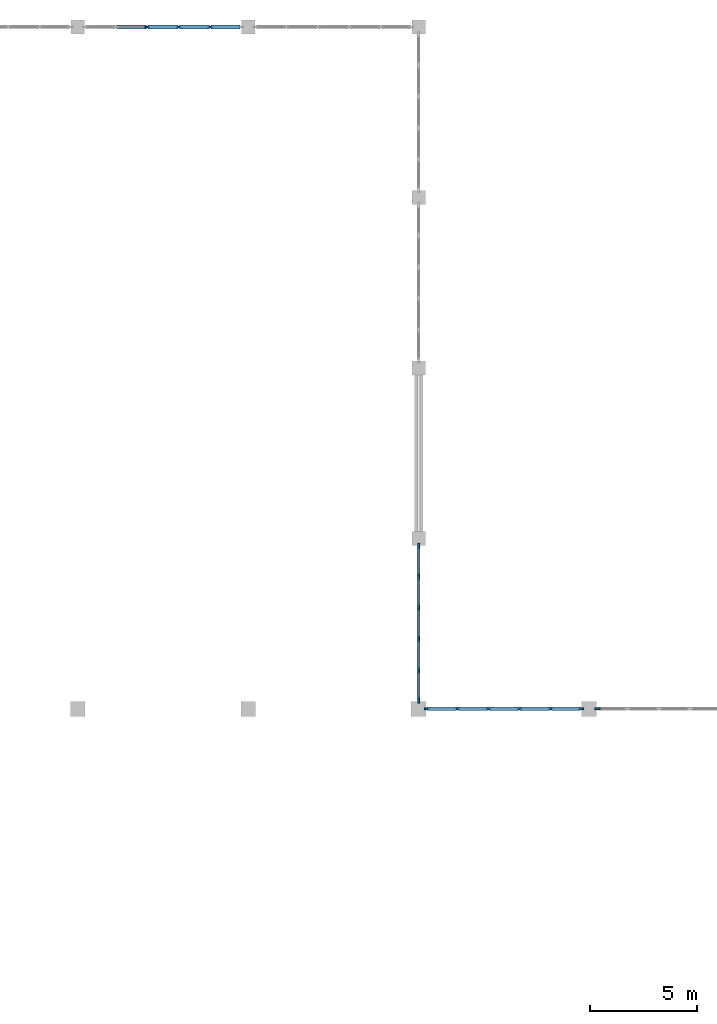
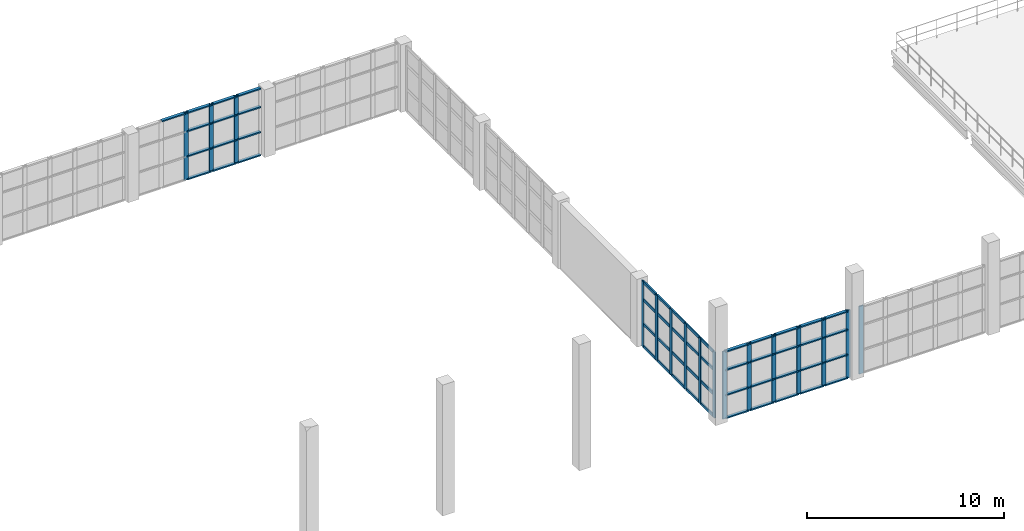
# One storey, part 19 of 66: 69 members, 4 elements without a shape of their own.
"""IFC4 building model written with IfcOpenShell, lengths in metres."""

import ifcopenshell
import ifcopenshell.guid

model = None  # the IFC model being written
_history = None  # IfcOwnerHistory: only IFC2X3 demands one
_inside = {}  # id of a spatial element -> (the spatial element, [elements in it])
_under = {}  # id of a project, library or spatial element -> (it, [spatial elements below it])
_declared = {}  # id of a project -> (the project, [libraries it declares])
_typed = {}  # id of a type object -> (the type object, [elements of that type])
_made_of = {}  # id of a material, layer set ... -> (it, [elements and type objects made of it])


def new_model(schema):
    """Start an empty IFC model of exactly this schema.

    Asked for "IFC4X3", IfcOpenShell would pick the latest addendum, in which some entities
    have other attributes; the version numbers below select the first issue.
    IFC2X3 requires an IfcOwnerHistory on every rooted entity: one is made here for all.
    """
    global model, _history
    if schema == "IFC4X3":
        model = ifcopenshell.file(schema_version=(4, 3, 0, 0))
    else:
        model = ifcopenshell.file(schema=schema)
    _inside.clear()
    _under.clear()
    _declared.clear()
    _typed.clear()
    _made_of.clear()
    _history = None
    if model.schema == "IFC2X3":
        org = make("IfcOrganization", Name="unknown")
        user = make(
            "IfcPersonAndOrganization",
            ThePerson=make("IfcPerson", FamilyName="unknown"),
            TheOrganization=org,
        )
        app = make(
            "IfcApplication",
            ApplicationDeveloper=org,
            Version="unknown",
            ApplicationFullName="unknown",
            ApplicationIdentifier="unknown",
        )
        _history = make(
            "IfcOwnerHistory",
            OwningUser=user,
            OwningApplication=app,
            ChangeAction="ADDED",
            CreationDate=0,
        )
    return model


def make(cls, **values):
    """One entity of the class cls with the attributes given. An attribute that is None is left unset."""
    return model.create_entity(
        cls, **{name: value for name, value in values.items() if value is not None}
    )


def rooted(cls, **values):
    """An entity with a GlobalId (a new one), such as an element, a storey or a relation."""
    return make(cls, GlobalId=ifcopenshell.guid.new(), OwnerHistory=_history, **values)


def si_unit(unit_type, name, prefix=None):
    """IfcSIUnit, for example si_unit("LENGTHUNIT", "METRE", prefix="MILLI")."""
    return make("IfcSIUnit", UnitType=unit_type, Prefix=prefix, Name=name)


def assignment(units):
    """IfcUnitAssignment: the units of a project."""
    return None if units is None else make("IfcUnitAssignment", Units=units)


def point(xyz):
    """IfcCartesianPoint."""
    return None if xyz is None else make("IfcCartesianPoint", Coordinates=xyz)


def direction(xyz):
    """IfcDirection."""
    return None if xyz is None else make("IfcDirection", DirectionRatios=xyz)


def frame(location, z_axis=None, x_axis=None):
    """IfcAxis2Placement3D, a coordinate frame: its origin and axes. An axis left out is left unset."""
    return make(
        "IfcAxis2Placement3D",
        Location=point(location),
        Axis=direction(z_axis),
        RefDirection=direction(x_axis),
    )


def frame_2d(location, x_axis=None):
    """IfcAxis2Placement2D, a coordinate frame in the plane: its origin and x axis."""
    return make(
        "IfcAxis2Placement2D", Location=point(location), RefDirection=direction(x_axis)
    )


def origin():
    """The frame at (0, 0, 0) with its axes left unset."""
    return frame((0.0, 0.0, 0.0))


def origin_2d():
    """The frame at (0, 0) in the plane with its x axis left unset."""
    return frame_2d((0.0, 0.0))


def place(relative_to, where):
    """IfcLocalPlacement: puts the frame where relative to a parent placement (None: the world)."""
    return make(
        "IfcLocalPlacement", PlacementRelTo=relative_to, RelativePlacement=where
    )


def context(
    kind, dimensions, precision=None, world=None, true_north=None, identifier=None
):
    """IfcGeometricRepresentationContext, for example the 3D "Model" context."""
    return make(
        "IfcGeometricRepresentationContext",
        ContextIdentifier=identifier,
        ContextType=kind,
        CoordinateSpaceDimension=dimensions,
        Precision=precision,
        WorldCoordinateSystem=world,
        TrueNorth=true_north,
    )


def subcontext(parent, identifier, kind, view, scale=None):
    """IfcGeometricRepresentationSubContext, for example "Body" below "Model"."""
    return make(
        "IfcGeometricRepresentationSubContext",
        ContextIdentifier=identifier,
        ContextType=kind,
        ParentContext=parent,
        TargetScale=scale,
        TargetView=view,
    )


def project(units=None, contexts=None):
    """IfcProject with its units and contexts."""
    return rooted(
        "IfcProject",
        Name="project",
        RepresentationContexts=contexts,
        UnitsInContext=assignment(units),
    )


def spatial(cls, under=None, at=None, **own):
    """A site, building, storey or space (cls), placed at a placement, below another one or the project."""
    s = rooted(cls, ObjectPlacement=at, **own)
    if under is not None:
        _under.setdefault(under.id(), (under, []))[1].append(s)
    return s


def profile(cls, at=None, kind="AREA", **sizes):
    """A parametric profile (cls). Its sizes go by their IFC names, for example OverallWidth=200.0."""
    return make(cls, ProfileType=kind, Position=at, **sizes)


def rectangle(**sizes):
    """IfcRectangleProfileDef."""
    return profile("IfcRectangleProfileDef", **sizes)


def extrude(swept, where, along, depth):
    """IfcExtrudedAreaSolid: the profile swept, set in the frame where, extruded along a direction by depth."""
    return make(
        "IfcExtrudedAreaSolid",
        SweptArea=swept,
        Position=where,
        ExtrudedDirection=direction(along),
        Depth=depth,
    )


def shape(context_of_items, identifier, shape_type, items):
    """IfcShapeRepresentation: the items that make up one representation, for example the "Body"."""
    return make(
        "IfcShapeRepresentation",
        ContextOfItems=context_of_items,
        RepresentationIdentifier=identifier,
        RepresentationType=shape_type,
        Items=items,
    )


def material(Name=None, Category=None):
    """IfcMaterial."""
    return make("IfcMaterial", Name=Name, Category=Category)


def layer(
    of_material, thickness, ventilated=None, Name=None, Category=None, Priority=None
):
    """IfcMaterialLayer: one layer of a wall or slab, of a material (None: an air gap)."""
    return make(
        "IfcMaterialLayer",
        Material=of_material,
        LayerThickness=thickness,
        IsVentilated=ventilated,
        Name=Name,
        Category=Category,
        Priority=Priority,
    )


def layer_set(layers, Name=None):
    """IfcMaterialLayerSet."""
    return make("IfcMaterialLayerSet", MaterialLayers=layers, LayerSetName=Name)


def material_profile(
    of_material, cross_section, Name=None, Category=None, Priority=None
):
    """IfcMaterialProfile: a cross section and its material."""
    return make(
        "IfcMaterialProfile",
        Name=Name,
        Material=of_material,
        Profile=cross_section,
        Priority=Priority,
        Category=Category,
    )


def profile_set(profiles, Name=None, composite=None):
    """IfcMaterialProfileSet."""
    return make(
        "IfcMaterialProfileSet",
        Name=Name,
        MaterialProfiles=profiles,
        CompositeProfile=composite,
    )


def made_of(thing, what):
    """Note that an element or type object is made of a material, layer set ...; save() writes the relation."""
    if what is not None:
        _made_of.setdefault(what.id(), (what, []))[1].append(thing)
    return thing


def type_object(cls, material=None, **own):
    """A type object (cls), such as IfcWallType, which elements share."""
    return made_of(rooted(cls, **own), material)


def element(
    cls,
    number,
    at=None,
    inside=None,
    cuts=None,
    type_object=None,
    material=None,
    context=None,
    identifier="Body",
    shape_type=None,
    held_by="IfcProductDefinitionShape",
    body=None,
    shapes=None,
    **own,
):
    """One element of the class cls, such as IfcWall. Its Tag is "e" and its number.

    at: its placement. inside: the storey or other place that contains it. cuts: it is an
    opening in that element (IfcRelVoidsElement). A single representation is given by context,
    identifier, shape_type and body (its items); several are given by shapes. held_by: the class
    of the entity that holds the representations. save() writes the other relations.
    """
    e = rooted(cls, Tag="e%d" % number, ObjectPlacement=at, **own)
    if body is not None:
        shapes = [shape(context, identifier, shape_type, body)]
    if shapes is not None:
        e.Representation = make(held_by, Representations=shapes)
    if inside is not None:
        _inside.setdefault(inside.id(), (inside, []))[1].append(e)
    if cuts is not None:
        rooted(
            "IfcRelVoidsElement", RelatingBuildingElement=cuts, RelatedOpeningElement=e
        )
    if type_object is not None:
        _typed.setdefault(type_object.id(), (type_object, []))[1].append(e)
    return made_of(e, material)


def aggregate(whole, parts):
    """IfcRelAggregates: a whole, such as a stair, and the parts it consists of."""
    return rooted("IfcRelAggregates", RelatingObject=whole, RelatedObjects=parts)


def save(model, path):
    """Write the relations noted so far, then the file.

    IfcRelAggregates (storeys below a building ...), IfcRelContainedInSpatialStructure (elements
    in a storey), IfcRelDefinesByType, IfcRelAssociatesMaterial and IfcRelDeclares: one each for
    every whole, place, type object, material and project.
    """
    for whole, parts in _under.values():
        aggregate(whole, parts)
    for where, things in _inside.values():
        rooted(
            "IfcRelContainedInSpatialStructure",
            RelatedElements=things,
            RelatingStructure=where,
        )
    for kind, things in _typed.values():
        rooted("IfcRelDefinesByType", RelatedObjects=things, RelatingType=kind)
    for what, things in _made_of.values():
        rooted("IfcRelAssociatesMaterial", RelatedObjects=things, RelatingMaterial=what)
    for by, libraries in _declared.values():
        rooted("IfcRelDeclares", RelatingContext=by, RelatedDefinitions=libraries)
    model.write(path)


model = new_model("IFC4")

# Units and contexts
model_context = context("Model", 3, precision=1e-05, world=origin(), true_north=direction((0.0, 1.0)))
body_context = subcontext(model_context, "Body", "Model", "MODEL_VIEW")
ifc_project = project(units=[si_unit("LENGTHUNIT", "METRE"), si_unit("AREAUNIT", "SQUARE_METRE"), si_unit("VOLUMEUNIT", "CUBIC_METRE"), si_unit("PLANEANGLEUNIT", "RADIAN"), si_unit("MASSUNIT", "GRAM", prefix="KILO")], contexts=[model_context])

# Site, building, storey
site_placement = place(None, origin())
site = spatial("IfcSite", under=ifc_project, at=site_placement, CompositionType="ELEMENT")
building_placement = place(site_placement, origin())
building = spatial("IfcBuilding", under=site, at=building_placement, Name="Drelvana Railside Aquatics Centre", CompositionType="ELEMENT")
storey_placement = place(building_placement, frame((0.0, 0.0, 10.199951171875)))
storey = spatial("IfcBuildingStorey", under=building, at=storey_placement, Name="L02", CompositionType="ELEMENT", Elevation=10.199951171875)

# Curtain wall, members
ifc_material_1 = material(Name="Bronze-anodised aluminium curtain wall", Category="aluminium")
ifc_layer = layer(ifc_material_1, 0.219970703125, Name="Bronze-anodised aluminium curtain wall")
ifc_layer_set = layer_set([ifc_layer], Name="Bronze-anodised aluminium curtain wall")
curtain_wall_type = type_object("IfcCurtainWallType", Name="CW-Z3-HIGH", PredefinedType="NOTDEFINED", material=ifc_layer_set)
curtain_wall_1_placement = place(storey_placement, origin())
curtain_wall_1 = element("IfcCurtainWall", 1, at=curtain_wall_1_placement, inside=storey, type_object=curtain_wall_type, Name="Curtain wall CW-03-022", PredefinedType="NOTDEFINED")
ifc_material_2 = material(Name="Bronze-anodised aluminium 6063-T6", Category="aluminium")
ifc_material_profile_1 = material_profile(ifc_material_2, rectangle(XDim=0.080078125, YDim=0.25, at=origin_2d()), Name="ALU-M 80x250")
ifc_profile_set_1 = profile_set([ifc_material_profile_1], Name="Bronze-anodised aluminium 6063-T6")
member_type_1 = type_object("IfcMemberType", Name="CW-Z3-HIGH-MUL", PredefinedType="MULLION", material=ifc_profile_set_1)
member_1_placement = place(storey_placement, frame((72.384033203125, 84.0, -0.005859375), z_axis=(0.0, 0.0, 1.0), x_axis=(0.0, 1.0, 0.0)))
member_1 = element("IfcMember", 2, at=member_1_placement, type_object=member_type_1, Name="CW-03 mullion 1", PredefinedType="MULLION", context=body_context, shape_type="SweptSolid", body=[
    extrude(rectangle(XDim=0.080078125, YDim=0.25, at=origin_2d()), origin(), (0.0, 0.0, 1.0), 4.19580078125),
])
member_2_placement = place(storey_placement, frame((73.806396484375, 84.0, -0.005859375), z_axis=(0.0, 0.0, 1.0), x_axis=(0.0, 1.0, 0.0)))
member_2 = element("IfcMember", 3, at=member_2_placement, type_object=member_type_1, Name="CW-03 mullion 2", PredefinedType="MULLION", context=body_context, shape_type="SweptSolid", body=[
    extrude(rectangle(XDim=0.080078125, YDim=0.25, at=origin_2d()), origin(), (0.0, 0.0, 1.0), 4.19580078125),
])
member_3_placement = place(storey_placement, frame((75.268798828125, 84.0, -0.005859375), z_axis=(0.0, 0.0, 1.0), x_axis=(0.0, 1.0, 0.0)))
member_3 = element("IfcMember", 4, at=member_3_placement, type_object=member_type_1, Name="CW-03 mullion 3", PredefinedType="MULLION", context=body_context, shape_type="SweptSolid", body=[
    extrude(rectangle(XDim=0.080078125, YDim=0.25, at=origin_2d()), origin(), (0.0, 0.0, 1.0), 4.19580078125),
])
member_4_placement = place(storey_placement, frame((76.731201171875, 84.0, -0.005859375), z_axis=(0.0, 0.0, 1.0), x_axis=(0.0, 1.0, 0.0)))
member_4 = element("IfcMember", 5, at=member_4_placement, type_object=member_type_1, Name="CW-03 mullion 4", PredefinedType="MULLION", context=body_context, shape_type="SweptSolid", body=[
    extrude(rectangle(XDim=0.080078125, YDim=0.25, at=origin_2d()), origin(), (0.0, 0.0, 1.0), 4.19580078125),
])
member_5_placement = place(storey_placement, frame((78.193603515625, 84.0, -0.005859375), z_axis=(0.0, 0.0, 1.0), x_axis=(0.0, 1.0, 0.0)))
member_5 = element("IfcMember", 6, at=member_5_placement, type_object=member_type_1, Name="CW-03 mullion 5", PredefinedType="MULLION", context=body_context, shape_type="SweptSolid", body=[
    extrude(rectangle(XDim=0.080078125, YDim=0.25, at=origin_2d()), origin(), (0.0, 0.0, 1.0), 4.19580078125),
])
member_6_placement = place(storey_placement, frame((79.615966796875, 84.0, -0.005859375), z_axis=(0.0, 0.0, 1.0), x_axis=(0.0, 1.0, 0.0)))
member_6 = element("IfcMember", 7, at=member_6_placement, type_object=member_type_1, Name="CW-03 mullion 6", PredefinedType="MULLION", context=body_context, shape_type="SweptSolid", body=[
    extrude(rectangle(XDim=0.080078125, YDim=0.25, at=origin_2d()), origin(), (0.0, 0.0, 1.0), 4.19580078125),
])

# Curtain wall, member
curtain_wall_2_placement = place(storey_placement, origin())
curtain_wall_2 = element("IfcCurtainWall", 8, at=curtain_wall_2_placement, inside=storey, type_object=curtain_wall_type, Name="Curtain wall CW-03-025", PredefinedType="NOTDEFINED")
member_7_placement = place(storey_placement, frame((80.384033203125, 84.0, -0.005859375), z_axis=(0.0, 0.0, 1.0), x_axis=(0.0, 1.0, 0.0)))
member_7 = element("IfcMember", 9, at=member_7_placement, type_object=member_type_1, Name="CW-03 mullion 1", PredefinedType="MULLION", context=body_context, shape_type="SweptSolid", body=[
    extrude(rectangle(XDim=0.080078125, YDim=0.25, at=origin_2d()), origin(), (0.0, 0.0, 1.0), 4.19580078125),
])
aggregate(curtain_wall_2, [member_7])

# Curtain wall, members
curtain_wall_3_placement = place(storey_placement, origin())
curtain_wall_3 = element("IfcCurtainWall", 10, at=curtain_wall_3_placement, inside=storey, type_object=curtain_wall_type, Name="Curtain wall CW-03-039", PredefinedType="NOTDEFINED")
member_8_placement = place(storey_placement, frame((59.263916015625, 116.0, -0.005859375), z_axis=(0.0, 0.0, 1.0), x_axis=(0.0, 1.0, 0.0)))
member_8 = element("IfcMember", 11, at=member_8_placement, type_object=member_type_1, Name="CW-03 mullion 3", PredefinedType="MULLION", context=body_context, shape_type="SweptSolid", body=[
    extrude(rectangle(XDim=0.080078125, YDim=0.25, at=origin_2d()), origin(), (0.0, 0.0, 1.0), 4.19580078125),
])
member_9_placement = place(storey_placement, frame((60.736083984375, 116.0, -0.005859375), z_axis=(0.0, 0.0, 1.0), x_axis=(0.0, 1.0, 0.0)))
member_9 = element("IfcMember", 12, at=member_9_placement, type_object=member_type_1, Name="CW-03 mullion 4", PredefinedType="MULLION", context=body_context, shape_type="SweptSolid", body=[
    extrude(rectangle(XDim=0.080078125, YDim=0.25, at=origin_2d()), origin(), (0.0, 0.0, 1.0), 4.19580078125),
])
member_10_placement = place(storey_placement, frame((62.20849609375, 116.0, -0.005859375), z_axis=(0.0, 0.0, 1.0), x_axis=(0.0, 1.0, 0.0)))
member_10 = element("IfcMember", 13, at=member_10_placement, type_object=member_type_1, Name="CW-03 mullion 5", PredefinedType="MULLION", context=body_context, shape_type="SweptSolid", body=[
    extrude(rectangle(XDim=0.080078125, YDim=0.25, at=origin_2d()), origin(), (0.0, 0.0, 1.0), 4.19580078125),
])

curtain_wall_4_placement = place(storey_placement, origin())
curtain_wall_4 = element("IfcCurtainWall", 14, at=curtain_wall_4_placement, inside=storey, type_object=curtain_wall_type, Name="Curtain wall CW-03-092", PredefinedType="NOTDEFINED")
member_11_placement = place(storey_placement, frame((72.0, 84.384033203125, -0.005859375), z_axis=(0.0, 0.0, 1.0), x_axis=(-1.0, 0.0, 0.0)))
member_11 = element("IfcMember", 15, at=member_11_placement, type_object=member_type_1, Name="CW-03 mullion 1", PredefinedType="MULLION", context=body_context, shape_type="SweptSolid", body=[
    extrude(rectangle(XDim=0.080078125, YDim=0.25, at=origin_2d()), origin(), (0.0, 0.0, 1.0), 4.055908203125),
])
member_12_placement = place(storey_placement, frame((72.0, 85.811279296875, -0.005859375), z_axis=(0.0, 0.0, 1.0), x_axis=(-1.0, 0.0, 0.0)))
member_12 = element("IfcMember", 16, at=member_12_placement, type_object=member_type_1, Name="CW-03 mullion 2", PredefinedType="MULLION", context=body_context, shape_type="SweptSolid", body=[
    extrude(rectangle(XDim=0.080078125, YDim=0.25, at=origin_2d()), origin(), (0.0, 0.0, 1.0), 4.055908203125),
])
member_13_placement = place(storey_placement, frame((72.0, 87.27880859375, -0.005859375), z_axis=(0.0, 0.0, 1.0), x_axis=(-1.0, 0.0, 0.0)))
member_13 = element("IfcMember", 17, at=member_13_placement, type_object=member_type_1, Name="CW-03 mullion 3", PredefinedType="MULLION", context=body_context, shape_type="SweptSolid", body=[
    extrude(rectangle(XDim=0.080078125, YDim=0.25, at=origin_2d()), origin(), (0.0, 0.0, 1.0), 4.055908203125),
])
member_14_placement = place(storey_placement, frame((72.0, 88.74609375, -0.005859375), z_axis=(0.0, 0.0, 1.0), x_axis=(-1.0, 0.0, 0.0)))
member_14 = element("IfcMember", 18, at=member_14_placement, type_object=member_type_1, Name="CW-03 mullion 4", PredefinedType="MULLION", context=body_context, shape_type="SweptSolid", body=[
    extrude(rectangle(XDim=0.080078125, YDim=0.25, at=origin_2d()), origin(), (0.0, 0.0, 1.0), 4.055908203125),
])
member_15_placement = place(storey_placement, frame((72.0, 90.213623046875, -0.005859375), z_axis=(0.0, 0.0, 1.0), x_axis=(-1.0, 0.0, 0.0)))
member_15 = element("IfcMember", 19, at=member_15_placement, type_object=member_type_1, Name="CW-03 mullion 5", PredefinedType="MULLION", context=body_context, shape_type="SweptSolid", body=[
    extrude(rectangle(XDim=0.080078125, YDim=0.25, at=origin_2d()), origin(), (0.0, 0.0, 1.0), 4.055908203125),
])
member_16_placement = place(storey_placement, frame((72.0, 91.64111328125, -0.005859375), z_axis=(0.0, 0.0, 1.0), x_axis=(-1.0, 0.0, 0.0)))
member_16 = element("IfcMember", 20, at=member_16_placement, type_object=member_type_1, Name="CW-03 mullion 6", PredefinedType="MULLION", context=body_context, shape_type="SweptSolid", body=[
    extrude(rectangle(XDim=0.080078125, YDim=0.25, at=origin_2d()), origin(), (0.0, 0.0, 1.0), 4.055908203125),
])

# Member
ifc_material_profile_2 = material_profile(ifc_material_2, rectangle(XDim=0.179931640625, YDim=0.074951171875, at=origin_2d()), Name="ALU-T 75x180")
ifc_profile_set_2 = profile_set([ifc_material_profile_2], Name="Bronze-anodised aluminium 6063-T6")
member_type_2 = type_object("IfcMemberType", Name="CW-Z3-HIGH-TRN", PredefinedType="USERDEFINED", material=ifc_profile_set_2)
member_17_placement = place(storey_placement, frame((72.4189453125, 84.0, 0.031494140625), z_axis=(1.0, 0.0, 0.0), x_axis=(0.0, 1.0, 0.0)))
member_17 = element("IfcMember", 21, at=member_17_placement, type_object=member_type_2, Name="CW-03 transom 1.1", ObjectType="TRANSOM", PredefinedType="USERDEFINED", context=body_context, shape_type="SweptSolid", body=[
    extrude(rectangle(XDim=0.179931640625, YDim=0.074951171875, at=origin_2d()), origin(), (0.0, 0.0, 1.0), 1.3525390625),
])

member_18_placement = place(storey_placement, frame((72.4189453125, 84.0, 1.463134765625), z_axis=(1.0, 0.0, 0.0), x_axis=(0.0, 1.0, 0.0)))
member_18 = element("IfcMember", 22, at=member_18_placement, type_object=member_type_2, Name="CW-03 transom 1.2", ObjectType="TRANSOM", PredefinedType="USERDEFINED", context=body_context, shape_type="SweptSolid", body=[
    extrude(rectangle(XDim=0.179931640625, YDim=0.074951171875, at=origin_2d()), origin(), (0.0, 0.0, 1.0), 1.3525390625),
])

member_19_placement = place(storey_placement, frame((72.4189453125, 84.0, 3.01513671875), z_axis=(1.0, 0.0, 0.0), x_axis=(0.0, 1.0, 0.0)))
member_19 = element("IfcMember", 23, at=member_19_placement, type_object=member_type_2, Name="CW-03 transom 1.3", ObjectType="TRANSOM", PredefinedType="USERDEFINED", context=body_context, shape_type="SweptSolid", body=[
    extrude(rectangle(XDim=0.179931640625, YDim=0.074951171875, at=origin_2d()), origin(), (0.0, 0.0, 1.0), 1.3525390625),
])

member_20_placement = place(storey_placement, frame((72.4189453125, 84.0, 4.152587890625), z_axis=(1.0, 0.0, 0.0), x_axis=(0.0, 1.0, 0.0)))
member_20 = element("IfcMember", 24, at=member_20_placement, type_object=member_type_2, Name="CW-03 transom 1.4", ObjectType="TRANSOM", PredefinedType="USERDEFINED", context=body_context, shape_type="SweptSolid", body=[
    extrude(rectangle(XDim=0.179931640625, YDim=0.074951171875, at=origin_2d()), origin(), (0.0, 0.0, 1.0), 1.3525390625),
])

member_21_placement = place(storey_placement, frame((73.84130859375, 84.0, 0.031494140625), z_axis=(1.0, 0.0, 0.0), x_axis=(0.0, 1.0, 0.0)))
member_21 = element("IfcMember", 25, at=member_21_placement, type_object=member_type_2, Name="CW-03 transom 2.1", ObjectType="TRANSOM", PredefinedType="USERDEFINED", context=body_context, shape_type="SweptSolid", body=[
    extrude(rectangle(XDim=0.179931640625, YDim=0.074951171875, at=origin_2d()), origin(), (0.0, 0.0, 1.0), 1.392578125),
])

member_22_placement = place(storey_placement, frame((73.84130859375, 84.0, 1.463134765625), z_axis=(1.0, 0.0, 0.0), x_axis=(0.0, 1.0, 0.0)))
member_22 = element("IfcMember", 26, at=member_22_placement, type_object=member_type_2, Name="CW-03 transom 2.2", ObjectType="TRANSOM", PredefinedType="USERDEFINED", context=body_context, shape_type="SweptSolid", body=[
    extrude(rectangle(XDim=0.179931640625, YDim=0.074951171875, at=origin_2d()), origin(), (0.0, 0.0, 1.0), 1.392578125),
])

member_23_placement = place(storey_placement, frame((73.84130859375, 84.0, 3.01513671875), z_axis=(1.0, 0.0, 0.0), x_axis=(0.0, 1.0, 0.0)))
member_23 = element("IfcMember", 27, at=member_23_placement, type_object=member_type_2, Name="CW-03 transom 2.3", ObjectType="TRANSOM", PredefinedType="USERDEFINED", context=body_context, shape_type="SweptSolid", body=[
    extrude(rectangle(XDim=0.179931640625, YDim=0.074951171875, at=origin_2d()), origin(), (0.0, 0.0, 1.0), 1.392578125),
])

member_24_placement = place(storey_placement, frame((73.84130859375, 84.0, 4.152587890625), z_axis=(1.0, 0.0, 0.0), x_axis=(0.0, 1.0, 0.0)))
member_24 = element("IfcMember", 28, at=member_24_placement, type_object=member_type_2, Name="CW-03 transom 2.4", ObjectType="TRANSOM", PredefinedType="USERDEFINED", context=body_context, shape_type="SweptSolid", body=[
    extrude(rectangle(XDim=0.179931640625, YDim=0.074951171875, at=origin_2d()), origin(), (0.0, 0.0, 1.0), 1.392578125),
])

member_25_placement = place(storey_placement, frame((75.3037109375, 84.0, 0.031494140625), z_axis=(1.0, 0.0, 0.0), x_axis=(0.0, 1.0, 0.0)))
member_25 = element("IfcMember", 29, at=member_25_placement, type_object=member_type_2, Name="CW-03 transom 3.1", ObjectType="TRANSOM", PredefinedType="USERDEFINED", context=body_context, shape_type="SweptSolid", body=[
    extrude(rectangle(XDim=0.179931640625, YDim=0.074951171875, at=origin_2d()), origin(), (0.0, 0.0, 1.0), 1.392578125),
])

member_26_placement = place(storey_placement, frame((75.3037109375, 84.0, 1.463134765625), z_axis=(1.0, 0.0, 0.0), x_axis=(0.0, 1.0, 0.0)))
member_26 = element("IfcMember", 30, at=member_26_placement, type_object=member_type_2, Name="CW-03 transom 3.2", ObjectType="TRANSOM", PredefinedType="USERDEFINED", context=body_context, shape_type="SweptSolid", body=[
    extrude(rectangle(XDim=0.179931640625, YDim=0.074951171875, at=origin_2d()), origin(), (0.0, 0.0, 1.0), 1.392578125),
])

member_27_placement = place(storey_placement, frame((75.3037109375, 84.0, 3.01513671875), z_axis=(1.0, 0.0, 0.0), x_axis=(0.0, 1.0, 0.0)))
member_27 = element("IfcMember", 31, at=member_27_placement, type_object=member_type_2, Name="CW-03 transom 3.3", ObjectType="TRANSOM", PredefinedType="USERDEFINED", context=body_context, shape_type="SweptSolid", body=[
    extrude(rectangle(XDim=0.179931640625, YDim=0.074951171875, at=origin_2d()), origin(), (0.0, 0.0, 1.0), 1.392578125),
])

member_28_placement = place(storey_placement, frame((75.3037109375, 84.0, 4.152587890625), z_axis=(1.0, 0.0, 0.0), x_axis=(0.0, 1.0, 0.0)))
member_28 = element("IfcMember", 32, at=member_28_placement, type_object=member_type_2, Name="CW-03 transom 3.4", ObjectType="TRANSOM", PredefinedType="USERDEFINED", context=body_context, shape_type="SweptSolid", body=[
    extrude(rectangle(XDim=0.179931640625, YDim=0.074951171875, at=origin_2d()), origin(), (0.0, 0.0, 1.0), 1.392578125),
])

member_29_placement = place(storey_placement, frame((76.76611328125, 84.0, 0.031494140625), z_axis=(1.0, 0.0, 0.0), x_axis=(0.0, 1.0, 0.0)))
member_29 = element("IfcMember", 33, at=member_29_placement, type_object=member_type_2, Name="CW-03 transom 4.1", ObjectType="TRANSOM", PredefinedType="USERDEFINED", context=body_context, shape_type="SweptSolid", body=[
    extrude(rectangle(XDim=0.179931640625, YDim=0.074951171875, at=origin_2d()), origin(), (0.0, 0.0, 1.0), 1.392578125),
])

member_30_placement = place(storey_placement, frame((76.76611328125, 84.0, 1.463134765625), z_axis=(1.0, 0.0, 0.0), x_axis=(0.0, 1.0, 0.0)))
member_30 = element("IfcMember", 34, at=member_30_placement, type_object=member_type_2, Name="CW-03 transom 4.2", ObjectType="TRANSOM", PredefinedType="USERDEFINED", context=body_context, shape_type="SweptSolid", body=[
    extrude(rectangle(XDim=0.179931640625, YDim=0.074951171875, at=origin_2d()), origin(), (0.0, 0.0, 1.0), 1.392578125),
])

member_31_placement = place(storey_placement, frame((76.76611328125, 84.0, 3.01513671875), z_axis=(1.0, 0.0, 0.0), x_axis=(0.0, 1.0, 0.0)))
member_31 = element("IfcMember", 35, at=member_31_placement, type_object=member_type_2, Name="CW-03 transom 4.3", ObjectType="TRANSOM", PredefinedType="USERDEFINED", context=body_context, shape_type="SweptSolid", body=[
    extrude(rectangle(XDim=0.179931640625, YDim=0.074951171875, at=origin_2d()), origin(), (0.0, 0.0, 1.0), 1.392578125),
])

member_32_placement = place(storey_placement, frame((76.76611328125, 84.0, 4.152587890625), z_axis=(1.0, 0.0, 0.0), x_axis=(0.0, 1.0, 0.0)))
member_32 = element("IfcMember", 36, at=member_32_placement, type_object=member_type_2, Name="CW-03 transom 4.4", ObjectType="TRANSOM", PredefinedType="USERDEFINED", context=body_context, shape_type="SweptSolid", body=[
    extrude(rectangle(XDim=0.179931640625, YDim=0.074951171875, at=origin_2d()), origin(), (0.0, 0.0, 1.0), 1.392578125),
])

member_33_placement = place(storey_placement, frame((78.228515625, 84.0, 0.031494140625), z_axis=(1.0, 0.0, 0.0), x_axis=(0.0, 1.0, 0.0)))
member_33 = element("IfcMember", 37, at=member_33_placement, type_object=member_type_2, Name="CW-03 transom 5.1", ObjectType="TRANSOM", PredefinedType="USERDEFINED", context=body_context, shape_type="SweptSolid", body=[
    extrude(rectangle(XDim=0.179931640625, YDim=0.074951171875, at=origin_2d()), origin(), (0.0, 0.0, 1.0), 1.3525390625),
])

member_34_placement = place(storey_placement, frame((78.228515625, 84.0, 1.463134765625), z_axis=(1.0, 0.0, 0.0), x_axis=(0.0, 1.0, 0.0)))
member_34 = element("IfcMember", 38, at=member_34_placement, type_object=member_type_2, Name="CW-03 transom 5.2", ObjectType="TRANSOM", PredefinedType="USERDEFINED", context=body_context, shape_type="SweptSolid", body=[
    extrude(rectangle(XDim=0.179931640625, YDim=0.074951171875, at=origin_2d()), origin(), (0.0, 0.0, 1.0), 1.3525390625),
])

member_35_placement = place(storey_placement, frame((78.228515625, 84.0, 3.01513671875), z_axis=(1.0, 0.0, 0.0), x_axis=(0.0, 1.0, 0.0)))
member_35 = element("IfcMember", 39, at=member_35_placement, type_object=member_type_2, Name="CW-03 transom 5.3", ObjectType="TRANSOM", PredefinedType="USERDEFINED", context=body_context, shape_type="SweptSolid", body=[
    extrude(rectangle(XDim=0.179931640625, YDim=0.074951171875, at=origin_2d()), origin(), (0.0, 0.0, 1.0), 1.3525390625),
])

member_36_placement = place(storey_placement, frame((78.228515625, 84.0, 4.152587890625), z_axis=(1.0, 0.0, 0.0), x_axis=(0.0, 1.0, 0.0)))
member_36 = element("IfcMember", 40, at=member_36_placement, type_object=member_type_2, Name="CW-03 transom 5.4", ObjectType="TRANSOM", PredefinedType="USERDEFINED", context=body_context, shape_type="SweptSolid", body=[
    extrude(rectangle(XDim=0.179931640625, YDim=0.074951171875, at=origin_2d()), origin(), (0.0, 0.0, 1.0), 1.3525390625),
])

aggregate(curtain_wall_1, [member_1, member_2, member_3, member_4, member_5, member_6, member_17, member_18, member_19, member_20, member_21, member_22, member_23, member_24, member_25, member_26, member_27, member_28, member_29, member_30, member_31, member_32, member_33, member_34, member_35, member_36])

member_37_placement = place(storey_placement, frame((57.826416015625, 116.0, 4.152587890625), z_axis=(1.0, 0.0, 0.0), x_axis=(0.0, 1.0, 0.0)))
member_37 = element("IfcMember", 41, at=member_37_placement, type_object=member_type_2, Name="CW-03 transom 2.4", ObjectType="TRANSOM", PredefinedType="USERDEFINED", context=body_context, shape_type="SweptSolid", body=[
    extrude(rectangle(XDim=0.179931640625, YDim=0.074951171875, at=origin_2d()), origin(), (0.0, 0.0, 1.0), 1.40234375),
])

member_38_placement = place(storey_placement, frame((59.298828125, 116.0, 0.031494140625), z_axis=(1.0, 0.0, 0.0), x_axis=(0.0, 1.0, 0.0)))
member_38 = element("IfcMember", 42, at=member_38_placement, type_object=member_type_2, Name="CW-03 transom 3.1", ObjectType="TRANSOM", PredefinedType="USERDEFINED", context=body_context, shape_type="SweptSolid", body=[
    extrude(rectangle(XDim=0.179931640625, YDim=0.074951171875, at=origin_2d()), origin(), (0.0, 0.0, 1.0), 1.40234375),
])

member_39_placement = place(storey_placement, frame((59.298828125, 116.0, 1.463134765625), z_axis=(1.0, 0.0, 0.0), x_axis=(0.0, 1.0, 0.0)))
member_39 = element("IfcMember", 43, at=member_39_placement, type_object=member_type_2, Name="CW-03 transom 3.2", ObjectType="TRANSOM", PredefinedType="USERDEFINED", context=body_context, shape_type="SweptSolid", body=[
    extrude(rectangle(XDim=0.179931640625, YDim=0.074951171875, at=origin_2d()), origin(), (0.0, 0.0, 1.0), 1.40234375),
])

member_40_placement = place(storey_placement, frame((59.298828125, 116.0, 3.01513671875), z_axis=(1.0, 0.0, 0.0), x_axis=(0.0, 1.0, 0.0)))
member_40 = element("IfcMember", 44, at=member_40_placement, type_object=member_type_2, Name="CW-03 transom 3.3", ObjectType="TRANSOM", PredefinedType="USERDEFINED", context=body_context, shape_type="SweptSolid", body=[
    extrude(rectangle(XDim=0.179931640625, YDim=0.074951171875, at=origin_2d()), origin(), (0.0, 0.0, 1.0), 1.40234375),
])

member_41_placement = place(storey_placement, frame((59.298828125, 116.0, 4.152587890625), z_axis=(1.0, 0.0, 0.0), x_axis=(0.0, 1.0, 0.0)))
member_41 = element("IfcMember", 45, at=member_41_placement, type_object=member_type_2, Name="CW-03 transom 3.4", ObjectType="TRANSOM", PredefinedType="USERDEFINED", context=body_context, shape_type="SweptSolid", body=[
    extrude(rectangle(XDim=0.179931640625, YDim=0.074951171875, at=origin_2d()), origin(), (0.0, 0.0, 1.0), 1.40234375),
])

member_42_placement = place(storey_placement, frame((60.771240234375, 116.0, 0.031494140625), z_axis=(1.0, 0.0, 0.0), x_axis=(0.0, 1.0, 0.0)))
member_42 = element("IfcMember", 46, at=member_42_placement, type_object=member_type_2, Name="CW-03 transom 4.1", ObjectType="TRANSOM", PredefinedType="USERDEFINED", context=body_context, shape_type="SweptSolid", body=[
    extrude(rectangle(XDim=0.179931640625, YDim=0.074951171875, at=origin_2d()), origin(), (0.0, 0.0, 1.0), 1.40234375),
])

member_43_placement = place(storey_placement, frame((60.771240234375, 116.0, 1.463134765625), z_axis=(1.0, 0.0, 0.0), x_axis=(0.0, 1.0, 0.0)))
member_43 = element("IfcMember", 47, at=member_43_placement, type_object=member_type_2, Name="CW-03 transom 4.2", ObjectType="TRANSOM", PredefinedType="USERDEFINED", context=body_context, shape_type="SweptSolid", body=[
    extrude(rectangle(XDim=0.179931640625, YDim=0.074951171875, at=origin_2d()), origin(), (0.0, 0.0, 1.0), 1.40234375),
])

member_44_placement = place(storey_placement, frame((60.771240234375, 116.0, 3.01513671875), z_axis=(1.0, 0.0, 0.0), x_axis=(0.0, 1.0, 0.0)))
member_44 = element("IfcMember", 48, at=member_44_placement, type_object=member_type_2, Name="CW-03 transom 4.3", ObjectType="TRANSOM", PredefinedType="USERDEFINED", context=body_context, shape_type="SweptSolid", body=[
    extrude(rectangle(XDim=0.179931640625, YDim=0.074951171875, at=origin_2d()), origin(), (0.0, 0.0, 1.0), 1.40234375),
])

member_45_placement = place(storey_placement, frame((60.771240234375, 116.0, 4.152587890625), z_axis=(1.0, 0.0, 0.0), x_axis=(0.0, 1.0, 0.0)))
member_45 = element("IfcMember", 49, at=member_45_placement, type_object=member_type_2, Name="CW-03 transom 4.4", ObjectType="TRANSOM", PredefinedType="USERDEFINED", context=body_context, shape_type="SweptSolid", body=[
    extrude(rectangle(XDim=0.179931640625, YDim=0.074951171875, at=origin_2d()), origin(), (0.0, 0.0, 1.0), 1.40234375),
])

member_46_placement = place(storey_placement, frame((62.24365234375, 116.0, 0.031494140625), z_axis=(1.0, 0.0, 0.0), x_axis=(0.0, 1.0, 0.0)))
member_46 = element("IfcMember", 50, at=member_46_placement, type_object=member_type_2, Name="CW-03 transom 5.1", ObjectType="TRANSOM", PredefinedType="USERDEFINED", context=body_context, shape_type="SweptSolid", body=[
    extrude(rectangle(XDim=0.179931640625, YDim=0.074951171875, at=origin_2d()), origin(), (0.0, 0.0, 1.0), 1.3623046875),
])

member_47_placement = place(storey_placement, frame((62.24365234375, 116.0, 1.463134765625), z_axis=(1.0, 0.0, 0.0), x_axis=(0.0, 1.0, 0.0)))
member_47 = element("IfcMember", 51, at=member_47_placement, type_object=member_type_2, Name="CW-03 transom 5.2", ObjectType="TRANSOM", PredefinedType="USERDEFINED", context=body_context, shape_type="SweptSolid", body=[
    extrude(rectangle(XDim=0.179931640625, YDim=0.074951171875, at=origin_2d()), origin(), (0.0, 0.0, 1.0), 1.3623046875),
])

member_48_placement = place(storey_placement, frame((62.24365234375, 116.0, 3.01513671875), z_axis=(1.0, 0.0, 0.0), x_axis=(0.0, 1.0, 0.0)))
member_48 = element("IfcMember", 52, at=member_48_placement, type_object=member_type_2, Name="CW-03 transom 5.3", ObjectType="TRANSOM", PredefinedType="USERDEFINED", context=body_context, shape_type="SweptSolid", body=[
    extrude(rectangle(XDim=0.179931640625, YDim=0.074951171875, at=origin_2d()), origin(), (0.0, 0.0, 1.0), 1.3623046875),
])

member_49_placement = place(storey_placement, frame((62.24365234375, 116.0, 4.152587890625), z_axis=(1.0, 0.0, 0.0), x_axis=(0.0, 1.0, 0.0)))
member_49 = element("IfcMember", 53, at=member_49_placement, type_object=member_type_2, Name="CW-03 transom 5.4", ObjectType="TRANSOM", PredefinedType="USERDEFINED", context=body_context, shape_type="SweptSolid", body=[
    extrude(rectangle(XDim=0.179931640625, YDim=0.074951171875, at=origin_2d()), origin(), (0.0, 0.0, 1.0), 1.3623046875),
])

aggregate(curtain_wall_3, [member_8, member_9, member_10, member_37, member_38, member_39, member_40, member_41, member_42, member_43, member_44, member_45, member_46, member_47, member_48, member_49])

member_50_placement = place(storey_placement, frame((72.0, 84.4189453125, 0.031494140625), z_axis=(0.0, 1.0, 0.0), x_axis=(0.0, 0.0, 1.0)))
member_50 = element("IfcMember", 54, at=member_50_placement, type_object=member_type_2, Name="CW-03 transom 1.1", ObjectType="TRANSOM", PredefinedType="USERDEFINED", context=body_context, shape_type="SweptSolid", body=[
    extrude(rectangle(XDim=0.179931640625, YDim=0.074951171875, at=origin_2d()), origin(), (0.0, 0.0, 1.0), 1.357421875),
])

member_51_placement = place(storey_placement, frame((72.0, 84.4189453125, 1.4140625), z_axis=(0.0, 1.0, 0.0), x_axis=(0.0, 0.0, 1.0)))
member_51 = element("IfcMember", 55, at=member_51_placement, type_object=member_type_2, Name="CW-03 transom 1.2", ObjectType="TRANSOM", PredefinedType="USERDEFINED", context=body_context, shape_type="SweptSolid", body=[
    extrude(rectangle(XDim=0.179931640625, YDim=0.074951171875, at=origin_2d()), origin(), (0.0, 0.0, 1.0), 1.357421875),
])

member_52_placement = place(storey_placement, frame((72.0, 84.4189453125, 2.9140625), z_axis=(0.0, 1.0, 0.0), x_axis=(0.0, 0.0, 1.0)))
member_52 = element("IfcMember", 56, at=member_52_placement, type_object=member_type_2, Name="CW-03 transom 1.3", ObjectType="TRANSOM", PredefinedType="USERDEFINED", context=body_context, shape_type="SweptSolid", body=[
    extrude(rectangle(XDim=0.179931640625, YDim=0.074951171875, at=origin_2d()), origin(), (0.0, 0.0, 1.0), 1.357421875),
])

member_53_placement = place(storey_placement, frame((72.0, 84.4189453125, 4.012451171875), z_axis=(0.0, 1.0, 0.0), x_axis=(0.0, 0.0, 1.0)))
member_53 = element("IfcMember", 57, at=member_53_placement, type_object=member_type_2, Name="CW-03 transom 1.4", ObjectType="TRANSOM", PredefinedType="USERDEFINED", context=body_context, shape_type="SweptSolid", body=[
    extrude(rectangle(XDim=0.179931640625, YDim=0.074951171875, at=origin_2d()), origin(), (0.0, 0.0, 1.0), 1.357421875),
])

member_54_placement = place(storey_placement, frame((72.0, 85.846435546875, 0.031494140625), z_axis=(0.0, 1.0, 0.0), x_axis=(0.0, 0.0, 1.0)))
member_54 = element("IfcMember", 58, at=member_54_placement, type_object=member_type_2, Name="CW-03 transom 2.1", ObjectType="TRANSOM", PredefinedType="USERDEFINED", context=body_context, shape_type="SweptSolid", body=[
    extrude(rectangle(XDim=0.179931640625, YDim=0.074951171875, at=origin_2d()), origin(), (0.0, 0.0, 1.0), 1.3974609375),
])

member_55_placement = place(storey_placement, frame((72.0, 85.846435546875, 1.4140625), z_axis=(0.0, 1.0, 0.0), x_axis=(0.0, 0.0, 1.0)))
member_55 = element("IfcMember", 59, at=member_55_placement, type_object=member_type_2, Name="CW-03 transom 2.2", ObjectType="TRANSOM", PredefinedType="USERDEFINED", context=body_context, shape_type="SweptSolid", body=[
    extrude(rectangle(XDim=0.179931640625, YDim=0.074951171875, at=origin_2d()), origin(), (0.0, 0.0, 1.0), 1.3974609375),
])

member_56_placement = place(storey_placement, frame((72.0, 85.846435546875, 2.9140625), z_axis=(0.0, 1.0, 0.0), x_axis=(0.0, 0.0, 1.0)))
member_56 = element("IfcMember", 60, at=member_56_placement, type_object=member_type_2, Name="CW-03 transom 2.3", ObjectType="TRANSOM", PredefinedType="USERDEFINED", context=body_context, shape_type="SweptSolid", body=[
    extrude(rectangle(XDim=0.179931640625, YDim=0.074951171875, at=origin_2d()), origin(), (0.0, 0.0, 1.0), 1.3974609375),
])

member_57_placement = place(storey_placement, frame((72.0, 85.846435546875, 4.012451171875), z_axis=(0.0, 1.0, 0.0), x_axis=(0.0, 0.0, 1.0)))
member_57 = element("IfcMember", 61, at=member_57_placement, type_object=member_type_2, Name="CW-03 transom 2.4", ObjectType="TRANSOM", PredefinedType="USERDEFINED", context=body_context, shape_type="SweptSolid", body=[
    extrude(rectangle(XDim=0.179931640625, YDim=0.074951171875, at=origin_2d()), origin(), (0.0, 0.0, 1.0), 1.3974609375),
])

member_58_placement = place(storey_placement, frame((72.0, 87.313720703125, 0.031494140625), z_axis=(0.0, 1.0, 0.0), x_axis=(0.0, 0.0, 1.0)))
member_58 = element("IfcMember", 62, at=member_58_placement, type_object=member_type_2, Name="CW-03 transom 3.1", ObjectType="TRANSOM", PredefinedType="USERDEFINED", context=body_context, shape_type="SweptSolid", body=[
    extrude(rectangle(XDim=0.179931640625, YDim=0.074951171875, at=origin_2d()), origin(), (0.0, 0.0, 1.0), 1.3974609375),
])

member_59_placement = place(storey_placement, frame((72.0, 87.313720703125, 1.4140625), z_axis=(0.0, 1.0, 0.0), x_axis=(0.0, 0.0, 1.0)))
member_59 = element("IfcMember", 63, at=member_59_placement, type_object=member_type_2, Name="CW-03 transom 3.2", ObjectType="TRANSOM", PredefinedType="USERDEFINED", context=body_context, shape_type="SweptSolid", body=[
    extrude(rectangle(XDim=0.179931640625, YDim=0.074951171875, at=origin_2d()), origin(), (0.0, 0.0, 1.0), 1.3974609375),
])

member_60_placement = place(storey_placement, frame((72.0, 87.313720703125, 2.9140625), z_axis=(0.0, 1.0, 0.0), x_axis=(0.0, 0.0, 1.0)))
member_60 = element("IfcMember", 64, at=member_60_placement, type_object=member_type_2, Name="CW-03 transom 3.3", ObjectType="TRANSOM", PredefinedType="USERDEFINED", context=body_context, shape_type="SweptSolid", body=[
    extrude(rectangle(XDim=0.179931640625, YDim=0.074951171875, at=origin_2d()), origin(), (0.0, 0.0, 1.0), 1.3974609375),
])

member_61_placement = place(storey_placement, frame((72.0, 87.313720703125, 4.012451171875), z_axis=(0.0, 1.0, 0.0), x_axis=(0.0, 0.0, 1.0)))
member_61 = element("IfcMember", 65, at=member_61_placement, type_object=member_type_2, Name="CW-03 transom 3.4", ObjectType="TRANSOM", PredefinedType="USERDEFINED", context=body_context, shape_type="SweptSolid", body=[
    extrude(rectangle(XDim=0.179931640625, YDim=0.074951171875, at=origin_2d()), origin(), (0.0, 0.0, 1.0), 1.3974609375),
])

member_62_placement = place(storey_placement, frame((72.0, 88.78125, 0.031494140625), z_axis=(0.0, 1.0, 0.0), x_axis=(0.0, 0.0, 1.0)))
member_62 = element("IfcMember", 66, at=member_62_placement, type_object=member_type_2, Name="CW-03 transom 4.1", ObjectType="TRANSOM", PredefinedType="USERDEFINED", context=body_context, shape_type="SweptSolid", body=[
    extrude(rectangle(XDim=0.179931640625, YDim=0.074951171875, at=origin_2d()), origin(), (0.0, 0.0, 1.0), 1.3974609375),
])

member_63_placement = place(storey_placement, frame((72.0, 88.78125, 1.4140625), z_axis=(0.0, 1.0, 0.0), x_axis=(0.0, 0.0, 1.0)))
member_63 = element("IfcMember", 67, at=member_63_placement, type_object=member_type_2, Name="CW-03 transom 4.2", ObjectType="TRANSOM", PredefinedType="USERDEFINED", context=body_context, shape_type="SweptSolid", body=[
    extrude(rectangle(XDim=0.179931640625, YDim=0.074951171875, at=origin_2d()), origin(), (0.0, 0.0, 1.0), 1.3974609375),
])

member_64_placement = place(storey_placement, frame((72.0, 88.78125, 2.9140625), z_axis=(0.0, 1.0, 0.0), x_axis=(0.0, 0.0, 1.0)))
member_64 = element("IfcMember", 68, at=member_64_placement, type_object=member_type_2, Name="CW-03 transom 4.3", ObjectType="TRANSOM", PredefinedType="USERDEFINED", context=body_context, shape_type="SweptSolid", body=[
    extrude(rectangle(XDim=0.179931640625, YDim=0.074951171875, at=origin_2d()), origin(), (0.0, 0.0, 1.0), 1.3974609375),
])

member_65_placement = place(storey_placement, frame((72.0, 88.78125, 4.012451171875), z_axis=(0.0, 1.0, 0.0), x_axis=(0.0, 0.0, 1.0)))
member_65 = element("IfcMember", 69, at=member_65_placement, type_object=member_type_2, Name="CW-03 transom 4.4", ObjectType="TRANSOM", PredefinedType="USERDEFINED", context=body_context, shape_type="SweptSolid", body=[
    extrude(rectangle(XDim=0.179931640625, YDim=0.074951171875, at=origin_2d()), origin(), (0.0, 0.0, 1.0), 1.3974609375),
])

member_66_placement = place(storey_placement, frame((72.0, 90.24853515625, 0.031494140625), z_axis=(0.0, 1.0, 0.0), x_axis=(0.0, 0.0, 1.0)))
member_66 = element("IfcMember", 70, at=member_66_placement, type_object=member_type_2, Name="CW-03 transom 5.1", ObjectType="TRANSOM", PredefinedType="USERDEFINED", context=body_context, shape_type="SweptSolid", body=[
    extrude(rectangle(XDim=0.179931640625, YDim=0.074951171875, at=origin_2d()), origin(), (0.0, 0.0, 1.0), 1.357421875),
])

member_67_placement = place(storey_placement, frame((72.0, 90.24853515625, 1.4140625), z_axis=(0.0, 1.0, 0.0), x_axis=(0.0, 0.0, 1.0)))
member_67 = element("IfcMember", 71, at=member_67_placement, type_object=member_type_2, Name="CW-03 transom 5.2", ObjectType="TRANSOM", PredefinedType="USERDEFINED", context=body_context, shape_type="SweptSolid", body=[
    extrude(rectangle(XDim=0.179931640625, YDim=0.074951171875, at=origin_2d()), origin(), (0.0, 0.0, 1.0), 1.357421875),
])

member_68_placement = place(storey_placement, frame((72.0, 90.24853515625, 2.9140625), z_axis=(0.0, 1.0, 0.0), x_axis=(0.0, 0.0, 1.0)))
member_68 = element("IfcMember", 72, at=member_68_placement, type_object=member_type_2, Name="CW-03 transom 5.3", ObjectType="TRANSOM", PredefinedType="USERDEFINED", context=body_context, shape_type="SweptSolid", body=[
    extrude(rectangle(XDim=0.179931640625, YDim=0.074951171875, at=origin_2d()), origin(), (0.0, 0.0, 1.0), 1.357421875),
])

member_69_placement = place(storey_placement, frame((72.0, 90.24853515625, 4.012451171875), z_axis=(0.0, 1.0, 0.0), x_axis=(0.0, 0.0, 1.0)))
member_69 = element("IfcMember", 73, at=member_69_placement, type_object=member_type_2, Name="CW-03 transom 5.4", ObjectType="TRANSOM", PredefinedType="USERDEFINED", context=body_context, shape_type="SweptSolid", body=[
    extrude(rectangle(XDim=0.179931640625, YDim=0.074951171875, at=origin_2d()), origin(), (0.0, 0.0, 1.0), 1.357421875),
])

aggregate(curtain_wall_4, [member_11, member_12, member_13, member_14, member_15, member_16, member_50, member_51, member_52, member_53, member_54, member_55, member_56, member_57, member_58, member_59, member_60, member_61, member_62, member_63, member_64, member_65, member_66, member_67, member_68, member_69])

save(model, "model.ifc")
